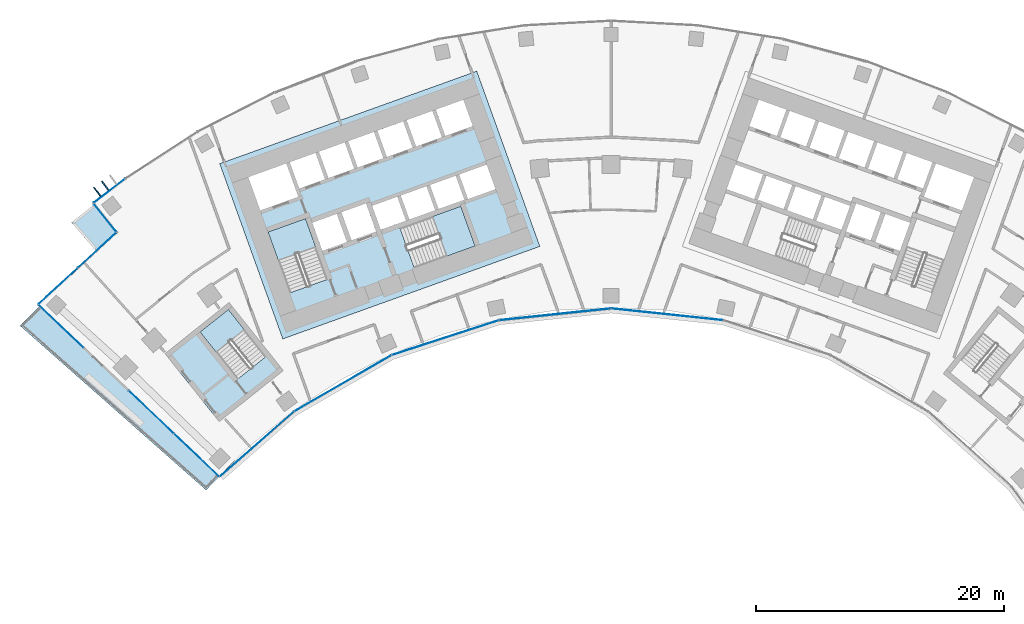
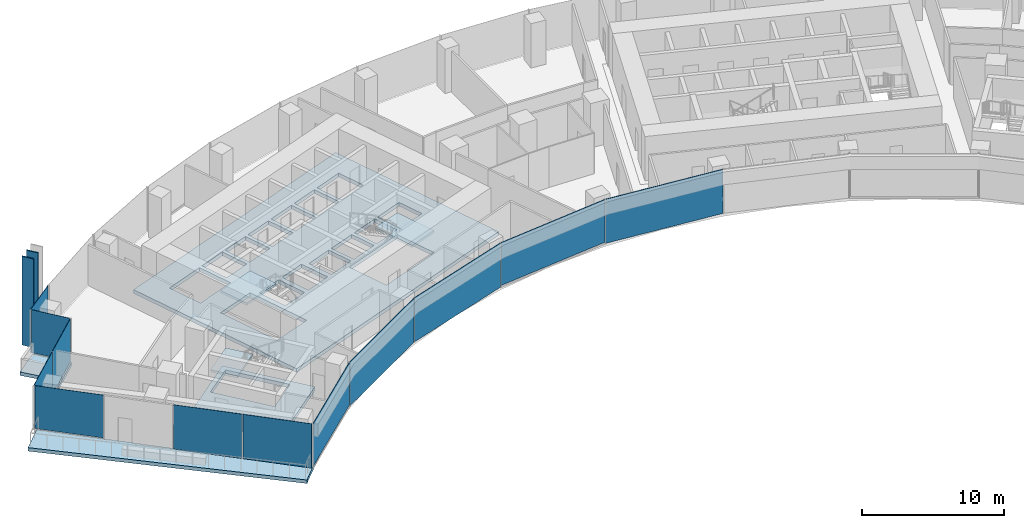
# One storey, part 10 of 20: 14 plates, 7 slabs, 8 elements without a shape of their own.
"""IFC4 building model written with IfcOpenShell, lengths in metres."""

from ifc_helpers import new_model, si_unit, direction, frame, origin, origin_2d, place, context, subcontext, project, spatial, polyline, rectangle, outline, extrude, material, layer, layer_set, type_object, element, aggregate, save


model = new_model("IFC4")

# Units and contexts
model_context = context("Model", 3, precision=1e-05, world=origin(), true_north=direction((0.0, 1.0)))
body_context = subcontext(model_context, "Body", "Model", "MODEL_VIEW")
ifc_project = project(units=[si_unit("LENGTHUNIT", "METRE"), si_unit("AREAUNIT", "SQUARE_METRE"), si_unit("VOLUMEUNIT", "CUBIC_METRE"), si_unit("PLANEANGLEUNIT", "RADIAN"), si_unit("MASSUNIT", "GRAM", prefix="KILO")], contexts=[model_context])

# Site, building, storey
site_placement = place(None, origin())
site = spatial("IfcSite", under=ifc_project, at=site_placement, CompositionType="ELEMENT")
building_placement = place(site_placement, origin())
building = spatial("IfcBuilding", under=site, at=building_placement, Name="Stone Belt Terrace Tower", CompositionType="ELEMENT")
storey_placement = place(building_placement, frame((0.0, 0.0, 125.0)))
storey = spatial("IfcBuildingStorey", under=building, at=storey_placement, Name="L30", CompositionType="ELEMENT", Elevation=125.0)

# Curtain wall, plate
ifc_material_1 = material(Name="Aluminium 6063-T6 anodised frame", Category="aluminium")
ifc_layer_1 = layer(ifc_material_1, 0.14990234375)
ifc_layer_set_1 = layer_set([ifc_layer_1], Name="CW-A unitised convex-face curtain wall")
curtain_wall_type_1 = type_object("IfcCurtainWallType", Name="CW-A unitised convex-face curtain wall", PredefinedType="NOTDEFINED", material=ifc_layer_set_1)
curtain_wall_1_placement = place(storey_placement, origin())
curtain_wall_1 = element("IfcCurtainWall", 1, at=curtain_wall_1_placement, inside=storey, type_object=curtain_wall_type_1, Name="CW-A convex face L30", PredefinedType="NOTDEFINED")
ifc_material_2 = material(Name="Clear double glazed unit")
ifc_layer_2 = layer(ifc_material_2, 0.031982421875)
ifc_layer_set_2 = layer_set([ifc_layer_2], Name="CW-A glass panel 32")
plate_type_1 = type_object("IfcPlateType", Name="CW-A glass panel 32", PredefinedType="CURTAIN_PANEL", material=ifc_layer_set_2)
plate_1_placement = place(storey_placement, frame((-40.394775390625, 52.896240234375, 0.0), z_axis=(0.0, 0.0, 1.0), x_axis=(-0.794905425637, -0.606733355184, 0.0)))
plate_1 = element("IfcPlate", 2, at=plate_1_placement, type_object=plate_type_1, Name="CW-A panel 16.1", PredefinedType="CURTAIN_PANEL", context=body_context, shape_type="SweptSolid", body=[
    extrude(rectangle(XDim=3.1142578125, YDim=0.031982421875, at=origin_2d()), origin(), (0.0, 0.0, 1.0), 3.800048828125),
])
aggregate(curtain_wall_1, [plate_1])

# Curtain wall, plates
ifc_layer_3 = layer(ifc_material_1, 0.14990234375)
ifc_layer_set_3 = layer_set([ifc_layer_3], Name="CW-B unitised concave-face curtain wall")
curtain_wall_type_2 = type_object("IfcCurtainWallType", Name="CW-B unitised concave-face curtain wall", PredefinedType="NOTDEFINED", material=ifc_layer_set_3)
curtain_wall_2_placement = place(storey_placement, origin())
curtain_wall_2 = element("IfcCurtainWall", 3, at=curtain_wall_2_placement, inside=storey, type_object=curtain_wall_type_2, Name="CW-B concave face L30", PredefinedType="NOTDEFINED")
ifc_layer_4 = layer(ifc_material_2, 0.030029296875)
ifc_layer_set_4 = layer_set([ifc_layer_4], Name="CW-B glass panel 30")
plate_type_2 = type_object("IfcPlateType", Name="CW-B glass panel 30", PredefinedType="CURTAIN_PANEL", material=ifc_layer_set_4)
plate_2_placement = place(storey_placement, frame((-28.516357421875, 32.509033203125, 0.1201171875), z_axis=(0.0, 0.0, 1.0), x_axis=(0.752060320301, 0.659094283566, 0.0)))
plate_2 = element("IfcPlate", 4, at=plate_2_placement, type_object=plate_type_2, Name="CW-B panel 1.1", PredefinedType="CURTAIN_PANEL", context=body_context, shape_type="SweptSolid", body=[
    extrude(rectangle(XDim=7.8916015625, YDim=0.030029296875, at=origin_2d()), origin(), (0.0, 0.0, 1.0), 3.679931640625),
])
plate_3_placement = place(storey_placement, frame((-21.59375, 37.400634765625, 0.0), z_axis=(0.0, 0.0, 1.0), x_axis=(0.866025403784, 0.5, 0.0)))
plate_3 = element("IfcPlate", 5, at=plate_3_placement, type_object=plate_type_2, Name="CW-B panel 2.1", PredefinedType="CURTAIN_PANEL", context=body_context, shape_type="SweptSolid", body=[
    extrude(rectangle(XDim=9.013916015625, YDim=0.030029296875, at=origin_2d()), origin(), (0.0, 0.0, 1.0), 3.800048828125),
])
plate_4_placement = place(storey_placement, frame((-13.345458984375, 41.072998046875, 0.0), z_axis=(0.0, 0.0, 1.0), x_axis=(0.951056516295, 0.309016994375, 0.0)))
plate_4 = element("IfcPlate", 6, at=plate_4_placement, type_object=plate_type_2, Name="CW-B panel 3.1", PredefinedType="CURTAIN_PANEL", context=body_context, shape_type="SweptSolid", body=[
    extrude(rectangle(XDim=9.0126953125, YDim=0.030029296875, at=origin_2d()), origin(), (0.0, 0.0, 1.0), 3.800048828125),
])
plate_5_placement = place(storey_placement, frame((-4.51416015625, 42.9501953125, 0.1201171875), z_axis=(0.0, 0.0, 1.0), x_axis=(0.994521895368, 0.104528463268, 0.0)))
plate_5 = element("IfcPlate", 7, at=plate_5_placement, type_object=plate_type_2, Name="CW-B panel 4.1", PredefinedType="CURTAIN_PANEL", context=body_context, shape_type="SweptSolid", body=[
    extrude(rectangle(XDim=9.0126953125, YDim=0.030029296875, at=origin_2d()), origin(), (0.0, 0.0, 1.0), 3.679931640625),
])
plate_6_placement = place(storey_placement, frame((4.51416015625, 42.9501953125, 0.0), z_axis=(0.0, 0.0, 1.0), x_axis=(0.994521895368, -0.104528463268, 0.0)))
plate_6 = element("IfcPlate", 8, at=plate_6_placement, type_object=plate_type_2, Name="CW-B panel 5.1", PredefinedType="CURTAIN_PANEL", context=body_context, shape_type="SweptSolid", body=[
    extrude(rectangle(XDim=9.0126953125, YDim=0.030029296875, at=origin_2d()), origin(), (0.0, 0.0, 1.0), 3.800048828125),
])
aggregate(curtain_wall_2, [plate_2, plate_3, plate_4, plate_5, plate_6])

# Curtain wall, plate
ifc_layer_5 = layer(ifc_material_1, 0.14990234375)
ifc_layer_set_5 = layer_set([ifc_layer_5], Name="CW-C stick curtain wall, horn ends and notches")
curtain_wall_type_3 = type_object("IfcCurtainWallType", Name="CW-C stick curtain wall, horn ends and notches", PredefinedType="NOTDEFINED", material=ifc_layer_set_5)
curtain_wall_3_placement = place(storey_placement, origin())
curtain_wall_3 = element("IfcCurtainWall", 9, at=curtain_wall_3_placement, inside=storey, type_object=curtain_wall_type_3, Name="CW-C notch face L30", PredefinedType="NOTDEFINED")
ifc_layer_6 = layer(ifc_material_2, 0.028076171875)
ifc_layer_set_6 = layer_set([ifc_layer_6], Name="CW-C glass panel 28")
plate_type_3 = type_object("IfcPlateType", Name="CW-C glass panel 28", PredefinedType="CURTAIN_PANEL", material=ifc_layer_set_6)
plate_7_placement = place(storey_placement, frame((-40.751220703125, 50.732666015625, 0.1201171875), z_axis=(0.0, 0.0, 1.0), x_axis=(0.625342799553, -0.780350166943, 0.0)))
plate_7 = element("IfcPlate", 10, at=plate_7_placement, type_object=plate_type_3, Name="CW-C panel 1.1", PredefinedType="CURTAIN_PANEL", context=body_context, shape_type="SweptSolid", body=[
    extrude(rectangle(XDim=2.85888671875, YDim=0.028076171875, at=origin_2d()), origin(), (0.0, 0.0, 1.0), 3.679931640625),
])
aggregate(curtain_wall_3, [plate_7])

# Curtain wall, plates
curtain_wall_4_placement = place(storey_placement, origin())
curtain_wall_4 = element("IfcCurtainWall", 11, at=curtain_wall_4_placement, inside=storey, type_object=curtain_wall_type_3, Name="CW-C notch face L30", PredefinedType="NOTDEFINED")
plate_8_placement = place(storey_placement, frame((-41.38232421875, 48.116455078125, 0.1201171875), z_axis=(0.0, 0.0, 1.0), x_axis=(-0.736280049148, -0.676676945985, 0.0)))
plate_8 = element("IfcPlate", 12, at=plate_8_placement, type_object=plate_type_3, Name="CW-C panel 1.1", PredefinedType="CURTAIN_PANEL", context=body_context, shape_type="SweptSolid", body=[
    extrude(rectangle(XDim=4.12060546875, YDim=0.028076171875, at=origin_2d()), origin(), (0.0, 0.0, 1.0), 3.679931640625),
])
plate_9_placement = place(storey_placement, frame((-44.514892578125, 45.237548828125, 0.0), z_axis=(0.0, 0.0, 1.0), x_axis=(-0.736280049148, -0.676676945985, 0.0)))
plate_9 = element("IfcPlate", 13, at=plate_9_placement, type_object=plate_type_3, Name="CW-C panel 2.1", PredefinedType="CURTAIN_PANEL", context=body_context, shape_type="SweptSolid", body=[
    extrude(rectangle(XDim=4.268798828125, YDim=0.028076171875, at=origin_2d()), origin(), (0.0, 0.0, 1.0), 3.800048828125),
])
aggregate(curtain_wall_4, [plate_8, plate_9])

curtain_wall_5_placement = place(storey_placement, origin())
curtain_wall_5 = element("IfcCurtainWall", 14, at=curtain_wall_5_placement, inside=storey, type_object=curtain_wall_type_3, Name="CW-C end face L30", PredefinedType="NOTDEFINED")
plate_10_placement = place(storey_placement, frame((-44.2841796875, 41.976806640625, 0.1201171875), z_axis=(0.0, 0.0, 1.0), x_axis=(0.72491369175, -0.688839705238, 0.0)))
plate_10 = element("IfcPlate", 15, at=plate_10_placement, type_object=plate_type_3, Name="CW-C panel 1.1", PredefinedType="CURTAIN_PANEL", context=body_context, shape_type="SweptSolid", body=[
    extrude(rectangle(XDim=4.974853515625, YDim=0.028076171875, at=origin_2d()), origin(), (0.0, 0.0, 1.0), 3.679931640625),
])
plate_11_placement = place(storey_placement, frame((-37.022216796875, 35.076416015625, 0.0), z_axis=(0.0, 0.0, 1.0), x_axis=(0.72491369175, -0.688839705238, 0.0)))
plate_11 = element("IfcPlate", 16, at=plate_11_placement, type_object=plate_type_3, Name="CW-C panel 3.1", PredefinedType="CURTAIN_PANEL", context=body_context, shape_type="SweptSolid", body=[
    extrude(rectangle(XDim=4.93994140625, YDim=0.028076171875, at=origin_2d()), origin(), (0.0, 0.0, 1.0), 3.800048828125),
])
plate_12_placement = place(storey_placement, frame((-33.388427734375, 31.623291015625, 0.0), z_axis=(0.0, 0.0, 1.0), x_axis=(0.72491369175, -0.688839705238, 0.0)))
plate_12 = element("IfcPlate", 17, at=plate_12_placement, type_object=plate_type_3, Name="CW-C panel 4.1", PredefinedType="CURTAIN_PANEL", context=body_context, shape_type="SweptSolid", body=[
    extrude(rectangle(XDim=4.9658203125, YDim=0.028076171875, at=origin_2d()), origin(), (0.0, 0.0, 1.0), 3.800048828125),
])
aggregate(curtain_wall_5, [plate_10, plate_11, plate_12])

# Slabs
ifc_material_3 = material(Name="Concrete B40", Category="concrete")
ifc_layer_7 = layer(ifc_material_3, 0.320068359375)
ifc_layer_set_7 = layer_set([ifc_layer_7], Name="Core floor slab 320")
slab_type_1 = type_object("IfcSlabType", Name="Core floor slab 320", PredefinedType="FLOOR", material=ifc_layer_set_7)
slab_1_placement = place(storey_placement, frame((0.0, 0.0, -0.320068359375)))
element("IfcSlab", 18, at=slab_1_placement, inside=storey, type_object=slab_type_1, Name="Core A floor L30", PredefinedType="FLOOR", context=body_context, shape_type="SweptSolid", body=[
    extrude(outline(polyline([(-26.43505859375, 40.968994140625), (-5.735107421875, 48.4189453125), (-10.81396484375, 62.531982421875), (-31.513916015625, 55.0830078125), (-26.43505859375, 40.968994140625)]), holes=[polyline([(-24.60791015625, 50.659912109375), (-22.847900390625, 45.76806640625), (-25.85888671875, 44.68408203125), (-27.618896484375, 49.575927734375), (-24.60791015625, 50.659912109375)]), polyline([(-21.27392578125, 48.778076171875), (-23.25, 48.06689453125), (-24.06298828125, 50.324951171875), (-22.0869140625, 51.035888671875), (-21.27392578125, 48.778076171875)]), polyline([(-18.922119140625, 49.6240234375), (-20.89794921875, 48.9130859375), (-21.7109375, 51.1708984375), (-19.735107421875, 51.883056640625), (-18.922119140625, 49.6240234375)]), polyline([(-19.239990234375, 51.68896484375), (-17.217041015625, 52.4169921875), (-16.52294921875, 50.488037109375), (-18.5458984375, 49.760009765625), (-19.239990234375, 51.68896484375)]), polyline([(-29.2109375, 53.9990234375), (-26.153076171875, 55.09912109375), (-25.18798828125, 52.41796875), (-28.24609375, 51.31689453125), (-29.2109375, 53.9990234375)]), polyline([(-23.801025390625, 55.946044921875), (-23.0390625, 53.8291015625), (-25.10888671875, 53.083984375), (-25.87109375, 55.200927734375), (-23.801025390625, 55.946044921875)]), polyline([(-21.447998046875, 56.7919921875), (-20.68603515625, 54.675048828125), (-22.756103515625, 53.929931640625), (-23.51806640625, 56.047119140625), (-21.447998046875, 56.7919921875)]), polyline([(-19.095947265625, 57.638916015625), (-18.333984375, 55.52197265625), (-20.404052734375, 54.777099609375), (-21.166015625, 56.89404296875), (-19.095947265625, 57.638916015625)]), polyline([(-15.846923828125, 46.69189453125), (-16.998046875, 49.89208984375), (-12.10595703125, 51.652099609375), (-10.955078125, 48.452880859375), (-15.846923828125, 46.69189453125)]), polyline([(-16.239990234375, 50.589111328125), (-16.93408203125, 52.51806640625), (-14.864013671875, 53.262939453125), (-14.169921875, 51.333984375), (-16.239990234375, 50.589111328125)]), polyline([(-11.801025390625, 52.134033203125), (-11.847900390625, 52.116943359375), (-11.864990234375, 52.1640625), (-13.887939453125, 51.43603515625), (-14.58203125, 53.364990234375), (-12.511962890625, 54.110107421875), (-11.801025390625, 52.134033203125)]), polyline([(-9.30810546875, 53.031005859375), (-11.51904296875, 52.235107421875), (-12.22998046875, 54.2109375), (-10.01904296875, 55.007080078125), (-9.30810546875, 53.031005859375)]), polyline([(-16.743896484375, 58.485107421875), (-15.98193359375, 56.367919921875), (-18.052001953125, 55.623046875), (-18.81396484375, 57.739990234375), (-16.743896484375, 58.485107421875)]), polyline([(-14.39111328125, 59.33203125), (-13.6298828125, 57.215087890625), (-15.699951171875, 56.469970703125), (-16.4609375, 58.5869140625), (-14.39111328125, 59.33203125)]), polyline([(-11.89794921875, 60.22900390625), (-11.135986328125, 58.112060546875), (-13.346923828125, 57.31591796875), (-14.10888671875, 59.43408203125), (-11.89794921875, 60.22900390625)])]), origin(), (0.0, 0.0, 1.0), 0.320068359375),
])
slab_2_placement = place(storey_placement, frame((0.0, 0.0, -0.320068359375)))
element("IfcSlab", 19, at=slab_2_placement, inside=storey, type_object=slab_type_1, Name="Exit stair ST3A floor L30", PredefinedType="FLOOR", context=body_context, shape_type="SweptSolid", body=[
    extrude(outline(polyline([(-26.39404296875, 38.425048828125), (-30.756103515625, 43.89990234375), (-35.91796875, 39.787109375), (-31.555908203125, 34.31298828125), (-26.39404296875, 38.425048828125)]), holes=[polyline([(-27.798095703125, 39.544921875), (-30.06591796875, 37.738037109375), (-33.087890625, 41.531005859375), (-30.820068359375, 43.337890625), (-27.798095703125, 39.544921875)])]), origin(), (0.0, 0.0, 1.0), 0.320068359375),
])

# Stair, slab
stair_type = type_object("IfcStairType", Name="Exit stair 1500", PredefinedType="HALF_TURN_STAIR", material=ifc_material_3)
stair_1_placement = place(storey_placement, origin())
stair_1 = element("IfcStair", 20, at=stair_1_placement, inside=storey, type_object=stair_type, Name="L30 Exit stair 1 core A", PredefinedType="HALF_TURN_STAIR")
ifc_layer_8 = layer(ifc_material_3, 0.199951171875)
ifc_layer_set_8 = layer_set([ifc_layer_8], Name="Stair landing 200")
slab_type_2 = type_object("IfcSlabType", Name="Stair landing 200", PredefinedType="LANDING", material=ifc_layer_set_8)
slab_3_placement = place(storey_placement, frame((0.0, 0.0, 1.699951171875)))
slab_3 = element("IfcSlab", 21, at=slab_3_placement, type_object=slab_type_2, Name="ST1A landing 1", PredefinedType="LANDING", context=body_context, shape_type="SweptSolid", body=[
    extrude(outline(polyline([(-23.79541015625, 48.40087890625), (-24.6083984375, 50.659912109375), (-27.619384765625, 49.576171875), (-26.806396484375, 47.3173828125), (-23.79541015625, 48.40087890625)])), origin(), (0.0, 0.0, 1.0), 0.199951171875),
])
aggregate(stair_1, [slab_3])

stair_2_placement = place(storey_placement, origin())
stair_2 = element("IfcStair", 22, at=stair_2_placement, inside=storey, type_object=stair_type, Name="L30 Exit stair 2 core A", PredefinedType="HALF_TURN_STAIR")
slab_4_placement = place(storey_placement, frame((0.0, 0.0, 1.699951171875)))
slab_4 = element("IfcSlab", 23, at=slab_4_placement, type_object=slab_type_2, Name="ST2A landing 1", PredefinedType="LANDING", context=body_context, shape_type="SweptSolid", body=[
    extrude(outline(polyline([(-13.213623046875, 47.64013671875), (-10.95458984375, 48.453125), (-12.10595703125, 51.652099609375), (-14.36474609375, 50.839111328125), (-13.213623046875, 47.64013671875)])), origin(), (0.0, 0.0, 1.0), 0.199951171875),
])
aggregate(stair_2, [slab_4])

stair_3_placement = place(storey_placement, origin())
stair_3 = element("IfcStair", 24, at=stair_3_placement, inside=storey, type_object=stair_type, Name="L30 Exit stair 3A", PredefinedType="HALF_TURN_STAIR")
slab_5_placement = place(storey_placement, frame((0.0, 0.0, 1.699951171875)))
slab_5 = element("IfcSlab", 25, at=slab_5_placement, type_object=slab_type_2, Name="ST3A landing 1", PredefinedType="LANDING", context=body_context, shape_type="SweptSolid", body=[
    extrude(outline(polyline([(-29.541748046875, 41.73388671875), (-30.819580078125, 43.337890625), (-33.087646484375, 41.53076171875), (-31.809814453125, 39.9267578125), (-29.541748046875, 41.73388671875)])), origin(), (0.0, 0.0, 1.0), 0.199951171875),
])
aggregate(stair_3, [slab_5])

# Slabs
ifc_layer_9 = layer(ifc_material_3, 0.300048828125)
ifc_layer_set_9 = layer_set([ifc_layer_9], Name="Terrace slab 300 B40")
slab_type_3 = type_object("IfcSlabType", Name="Terrace slab 300 B40", PredefinedType="FLOOR", material=ifc_layer_set_9)
slab_6_placement = place(storey_placement, frame((0.0, 0.0, -0.300048828125)))
element("IfcSlab", 26, at=slab_6_placement, inside=storey, type_object=slab_type_3, Name="Terrace slab L30-stack_terrace-1", PredefinedType="FLOOR", context=body_context, shape_type="SweptSolid", body=[
    extrude(outline(polyline([(-32.602294921875, 28.79833984375), (-32.326904296875, 29.107177734375), (-29.310791015625, 32.123291015625), (-29.3134765625, 32.1259765625), (-31.53369140625, 29.964599609375), (-45.94921875, 43.66259765625), (-47.591796875, 42.038818359375), (-32.602294921875, 28.79833984375)])), origin(), (0.0, 0.0, 1.0), 0.300048828125),
])
slab_7_placement = place(storey_placement, frame((0.0, 0.0, -0.300048828125)))
element("IfcSlab", 27, at=slab_7_placement, inside=storey, type_object=slab_type_3, Name="Terrace slab L30-notch_roof-2", PredefinedType="FLOOR", context=body_context, shape_type="SweptSolid", body=[
    extrude(outline(polyline([(-43.4443359375, 50.34716796875), (-41.484619140625, 48.07568359375), (-43.647705078125, 45.9375), (-43.645263671875, 45.934814453125), (-39.709228515625, 49.55224609375), (-41.549560546875, 51.8486328125), (-43.4443359375, 50.34716796875)])), origin(), (0.0, 0.0, 1.0), 0.300048828125),
])

# Plates
ifc_material_4 = material(Name="Terracotta coloured glazed ceramic", Category="masonry")
ifc_layer_10 = layer(ifc_material_4, 0.10009765625)
ifc_layer_set_10 = layer_set([ifc_layer_10], Name="Terracotta fin 100 x 900")
plate_type_4 = type_object("IfcPlateType", Name="Terracotta fin 100 x 900", PredefinedType="SHEET", material=ifc_layer_set_10)
for number, where, z_axis, x_axis, name in (
    (28, (-40.72998046875, 53.301025390625, 0.0), (0.0, 0.0, 1.0), (-0.606733355184, 0.794905425637, 0.0), "FIN L30 16.3"),
    (29, (-41.3701171875, 52.812255859375, 0.0), (0.0, 0.0, 1.0), (-0.606733355184, 0.794905425637, 0.0), "FIN L30 16.4"),
):
    element("IfcPlate", number, at=place(storey_placement, frame(where, z_axis=z_axis, x_axis=x_axis)), inside=storey, type_object=plate_type_4, Name=name, PredefinedType="SHEET", context=body_context, shape_type="SweptSolid", body=[
        extrude(rectangle(XDim=0.89990234375, YDim=0.10009765625, at=origin_2d()), origin(), (0.0, 0.0, 1.0), 7.60009765625),
    ])

save(model, "model.ifc")
